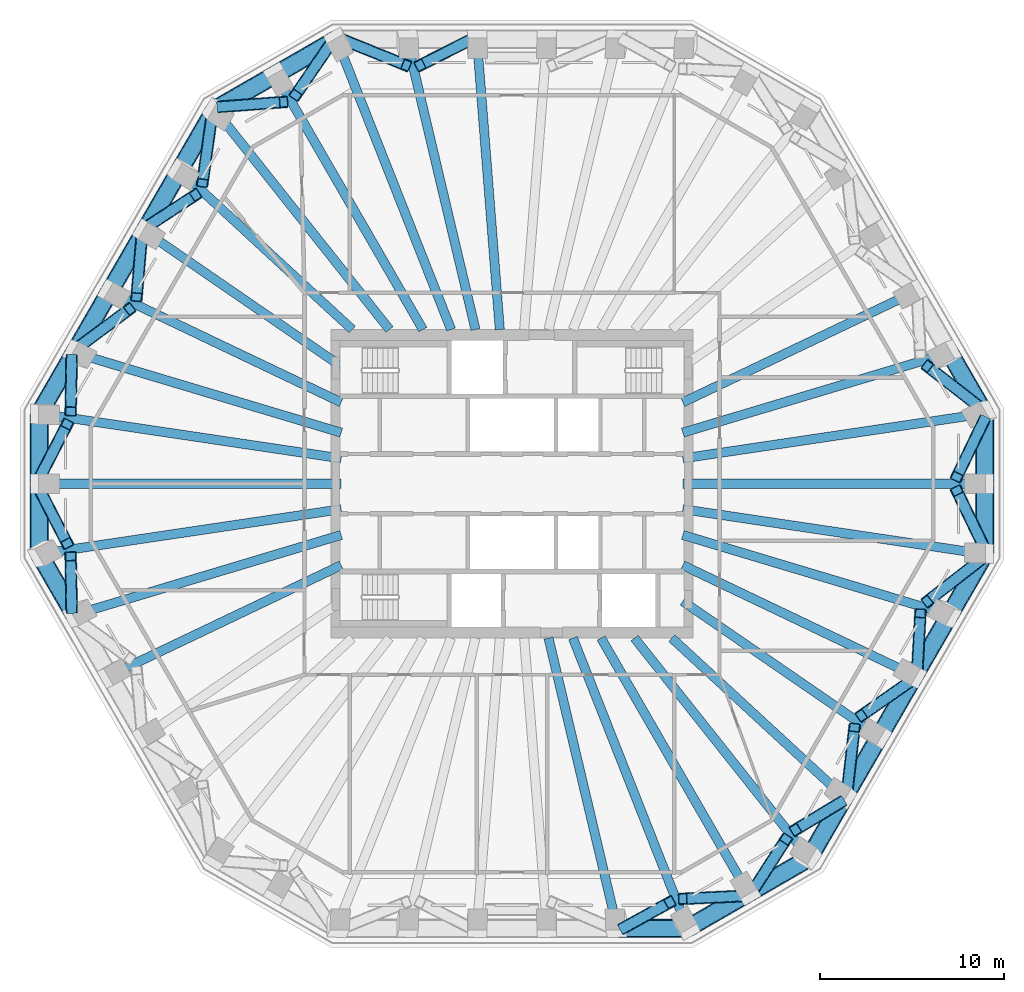
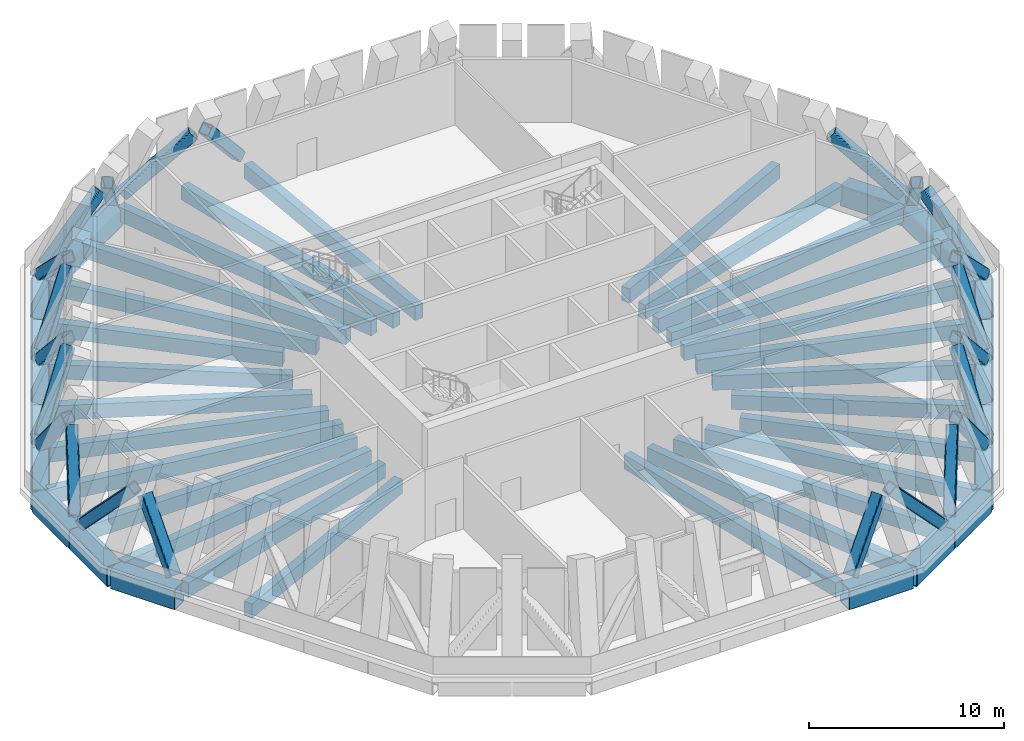
# One storey, part 2 of 8: 48 beams, 23 members.
"""IFC4 building model written with IfcOpenShell, lengths in metres."""

from ifc_helpers import new_model, si_unit, direction, frame, origin, origin_2d, place, context, subcontext, project, spatial, rectangle, hollow_rectangle, extrude, material, material_profile, profile_set, type_object, element, save


model = new_model("IFC4")

# Units and contexts
model_context = context("Model", 3, precision=1e-05, world=origin(), true_north=direction((0.0, 1.0)))
body_context = subcontext(model_context, "Body", "Model", "MODEL_VIEW")
ifc_project = project(units=[si_unit("LENGTHUNIT", "METRE"), si_unit("AREAUNIT", "SQUARE_METRE"), si_unit("VOLUMEUNIT", "CUBIC_METRE"), si_unit("PLANEANGLEUNIT", "RADIAN"), si_unit("MASSUNIT", "GRAM", prefix="KILO")], contexts=[model_context])

# Site, building, storey
site_placement = place(None, origin())
site = spatial("IfcSite", under=ifc_project, at=site_placement, CompositionType="ELEMENT")
building_placement = place(site_placement, origin())
building = spatial("IfcBuilding", under=site, at=building_placement, Name="Frailejon Research Tower", CompositionType="ELEMENT")
storey_placement = place(building_placement, frame((0.0, 0.0, 257.39990234375)))
storey = spatial("IfcBuildingStorey", under=building, at=storey_placement, Name="L56", CompositionType="ELEMENT", Elevation=257.39990234375)

# Beams
ifc_material_1 = material(Name="Steel S355", Category="steel")
ifc_material_profile_1 = material_profile(ifc_material_1, hollow_rectangle(XDim=1.0, YDim=1.300048828125, WallThickness=0.06005859375, InnerFilletRadius=0.06005859375, OuterFilletRadius=0.1201171875, at=origin_2d()), Name="Belt chord")
ifc_profile_set_1 = profile_set([ifc_material_profile_1], Name="Steel S355")
beam_type_1 = type_object("IfcBeamType", Name="Belt chord", PredefinedType="BEAM", material=ifc_profile_set_1)
for number, where, z_axis, x_axis, name in (
    (1, (25.734375, -3.806640625, -1.0), (0.0, 1.0, 0.0), (-1.0, 0.0, 0.0), "Belt chord"),
    (2, (25.734375, 0.02001953125, -1.0), (0.0, 1.0, 0.0), (-1.0, 0.0, 0.0), "Belt chord"),
):
    element("IfcBeam", number, at=place(storey_placement, frame(where, z_axis=z_axis, x_axis=x_axis)), inside=storey, type_object=beam_type_1, Name=name, PredefinedType="BEAM", context=body_context, shape_type="SweptSolid", body=[
        extrude(hollow_rectangle(XDim=1.0, YDim=1.300048828125, WallThickness=0.06005859375, InnerFilletRadius=0.06005859375, OuterFilletRadius=0.1201171875, at=origin_2d()), origin(), (0.0, 0.0, 1.0), 3.78662109375),
    ])
beam_1_placement = place(storey_placement, frame((25.724365234375, 3.843994140625, -1.0), z_axis=(-0.500000040646, 0.866025380318, 0.0), x_axis=(-0.866025380318, -0.500000040646, 0.0)))
element("IfcBeam", 3, at=beam_1_placement, inside=storey, type_object=beam_type_1, Name="Belt chord", PredefinedType="BEAM", context=body_context, shape_type="SweptSolid", body=[
    extrude(hollow_rectangle(XDim=1.0, YDim=1.300048828125, WallThickness=0.06005859375, InnerFilletRadius=0.06005859375, OuterFilletRadius=0.1201171875, at=origin_2d()), origin(), (0.0, 0.0, 1.0), 3.78125),
])
for number, where, z_axis, x_axis, name in (
    (4, (-9.570556640625, 24.18994140625, -1.0), (-0.86602453317, -0.500001507946, 0.0), (0.500001507946, -0.86602453317, 0.0), "Belt chord"),
    (5, (-12.884521484375, 22.276611328125, -1.0), (-0.86602453317, -0.500001507946, 0.0), (0.500001507946, -0.86602453317, 0.0), "Belt chord"),
):
    element("IfcBeam", number, at=place(storey_placement, frame(where, z_axis=z_axis, x_axis=x_axis)), inside=storey, type_object=beam_type_1, Name=name, PredefinedType="BEAM", context=body_context, shape_type="SweptSolid", body=[
        extrude(hollow_rectangle(XDim=1.0, YDim=1.300048828125, WallThickness=0.06005859375, InnerFilletRadius=0.06005859375, OuterFilletRadius=0.1201171875, at=origin_2d()), origin(), (0.0, 0.0, 1.0), 3.78662109375),
    ])
for number, where, z_axis, x_axis, name in (
    (6, (-16.191162109375, 20.35595703125, -1.0), (-0.500000040646, -0.866025380318, 0.0), (0.866025380318, -0.500000040646, 0.0), "Belt chord"),
    (7, (-18.101806640625, 17.046630859375, -1.0), (-0.500000040646, -0.866025380318, 0.0), (0.866025380318, -0.500000040646, 0.0), "Belt chord"),
    (8, (-20.012451171875, 13.7373046875, -1.0), (-0.500000040646, -0.866025380318, 0.0), (0.866025380318, -0.500000040646, 0.0), "Belt chord"),
    (9, (-21.923095703125, 10.427978515625, -1.0), (-0.500000040646, -0.866025380318, 0.0), (0.866025380318, -0.500000040646, 0.0), "Belt chord"),
    (10, (-23.833740234375, 7.11865234375, -1.0), (-0.500000040646, -0.866025380318, 0.0), (0.866025380318, -0.500000040646, 0.0), "Belt chord"),
):
    element("IfcBeam", number, at=place(storey_placement, frame(where, z_axis=z_axis, x_axis=x_axis)), inside=storey, type_object=beam_type_1, Name=name, PredefinedType="BEAM", context=body_context, shape_type="SweptSolid", body=[
        extrude(hollow_rectangle(XDim=1.0, YDim=1.300048828125, WallThickness=0.06005859375, InnerFilletRadius=0.06005859375, OuterFilletRadius=0.1201171875, at=origin_2d()), origin(), (0.0, 0.0, 1.0), 3.78125),
    ])
for number, where, z_axis, x_axis, name in (
    (11, (-25.734375, 3.806640625, -1.0), (0.0, -1.0, 0.0), (1.0, 0.0, 0.0), "Belt chord"),
    (12, (-25.734375, -0.02001953125, -1.0), (0.0, -1.0, 0.0), (1.0, 0.0, 0.0), "Belt chord"),
):
    element("IfcBeam", number, at=place(storey_placement, frame(where, z_axis=z_axis, x_axis=x_axis)), inside=storey, type_object=beam_type_1, Name=name, PredefinedType="BEAM", context=body_context, shape_type="SweptSolid", body=[
        extrude(hollow_rectangle(XDim=1.0, YDim=1.300048828125, WallThickness=0.06005859375, InnerFilletRadius=0.06005859375, OuterFilletRadius=0.1201171875, at=origin_2d()), origin(), (0.0, 0.0, 1.0), 3.78662109375),
    ])
for number, where, z_axis, x_axis, name in (
    (13, (-25.724365234375, -3.843994140625, -1.0), (0.500000040646, -0.866025380318, 0.0), (0.866025380318, 0.500000040646, 0.0), "Belt chord"),
    (14, (5.751953125, -24.199951171875, -1.0), (1.0, 0.0, 0.0), (0.0, 1.0, 0.0), "Belt chord"),
):
    element("IfcBeam", number, at=place(storey_placement, frame(where, z_axis=z_axis, x_axis=x_axis)), inside=storey, type_object=beam_type_1, Name=name, PredefinedType="BEAM", context=body_context, shape_type="SweptSolid", body=[
        extrude(hollow_rectangle(XDim=1.0, YDim=1.300048828125, WallThickness=0.06005859375, InnerFilletRadius=0.06005859375, OuterFilletRadius=0.1201171875, at=origin_2d()), origin(), (0.0, 0.0, 1.0), 3.78125),
    ])
for number, where, z_axis, x_axis, name in (
    (15, (9.570556640625, -24.18994140625, -1.0), (0.86602453317, 0.500001507946, 0.0), (-0.500001507946, 0.86602453317, 0.0), "Belt chord"),
    (16, (12.884521484375, -22.276611328125, -1.0), (0.86602453317, 0.500001507946, 0.0), (-0.500001507946, 0.86602453317, 0.0), "Belt chord"),
):
    element("IfcBeam", number, at=place(storey_placement, frame(where, z_axis=z_axis, x_axis=x_axis)), inside=storey, type_object=beam_type_1, Name=name, PredefinedType="BEAM", context=body_context, shape_type="SweptSolid", body=[
        extrude(hollow_rectangle(XDim=1.0, YDim=1.300048828125, WallThickness=0.06005859375, InnerFilletRadius=0.06005859375, OuterFilletRadius=0.1201171875, at=origin_2d()), origin(), (0.0, 0.0, 1.0), 3.78662109375),
    ])
for number, where, z_axis, x_axis, name in (
    (17, (16.191162109375, -20.35595703125, -1.0), (0.500000040646, 0.866025380318, 0.0), (-0.866025380318, 0.500000040646, 0.0), "Belt chord"),
    (18, (18.101806640625, -17.046630859375, -1.0), (0.500000040646, 0.866025380318, 0.0), (-0.866025380318, 0.500000040646, 0.0), "Belt chord"),
    (19, (20.012451171875, -13.7373046875, -1.0), (0.500000040646, 0.866025380318, 0.0), (-0.866025380318, 0.500000040646, 0.0), "Belt chord"),
    (20, (21.923095703125, -10.427978515625, -1.0), (0.500000040646, 0.866025380318, 0.0), (-0.866025380318, 0.500000040646, 0.0), "Belt chord"),
    (21, (23.833740234375, -7.11865234375, -1.0), (0.500000040646, 0.866025380318, 0.0), (-0.866025380318, 0.500000040646, 0.0), "Belt chord"),
):
    element("IfcBeam", number, at=place(storey_placement, frame(where, z_axis=z_axis, x_axis=x_axis)), inside=storey, type_object=beam_type_1, Name=name, PredefinedType="BEAM", context=body_context, shape_type="SweptSolid", body=[
        extrude(hollow_rectangle(XDim=1.0, YDim=1.300048828125, WallThickness=0.06005859375, InnerFilletRadius=0.06005859375, OuterFilletRadius=0.1201171875, at=origin_2d()), origin(), (0.0, 0.0, 1.0), 3.78125),
    ])

# Members
ifc_material_2 = material(Name="Steel S355", Category="steel")
ifc_material_profile_2 = material_profile(ifc_material_2, hollow_rectangle(XDim=0.64990234375, YDim=0.64990234375, WallThickness=0.044921875, InnerFilletRadius=0.044921875, OuterFilletRadius=0.090087890625, at=origin_2d()), Name="Belt diagonal 5600")
ifc_profile_set_2 = profile_set([ifc_material_profile_2], Name="Steel S355")
member_type = type_object("IfcMemberType", Name="Belt diagonal 5600", PredefinedType="BRACE", material=ifc_profile_set_2)
for number, where, z_axis, x_axis, name in (
    (22, (25.692138671875, -3.446044921875, 0.098388671875), (-0.305461236623, 0.634897041554, 0.709647221897), (-0.901129190385, -0.433550668591, 0.0), "Belt truss diagonal"),
    (23, (24.214599609375, 0.375, 3.531005859375), (0.305461236623, 0.634897041554, -0.709647221897), (-0.901129190385, 0.433550668591, 0.0), "Belt truss diagonal"),
):
    element("IfcMember", number, at=place(storey_placement, frame(where, z_axis=z_axis, x_axis=x_axis)), inside=storey, type_object=member_type, Name=name, PredefinedType="BRACE", context=body_context, shape_type="SweptSolid", body=[
        extrude(hollow_rectangle(XDim=0.64990234375, YDim=0.64990234375, WallThickness=0.044921875, InnerFilletRadius=0.044921875, OuterFilletRadius=0.090087890625, at=origin_2d()), origin(), (0.0, 0.0, 1.0), 4.837158203125),
    ])
member_1_placement = place(storey_placement, frame((25.502685546875, 4.1455078125, 0.10302734375), z_axis=(-0.576271046214, 0.449760669787, 0.682368684224), x_axis=(-0.615260778003, -0.788323648669, 0.0)))
element("IfcMember", 24, at=member_1_placement, inside=storey, type_object=member_type, Name="Belt truss diagonal", PredefinedType="BRACE", context=body_context, shape_type="SweptSolid", body=[
    extrude(hollow_rectangle(XDim=0.64990234375, YDim=0.64990234375, WallThickness=0.044921875, InnerFilletRadius=0.044921875, OuterFilletRadius=0.090087890625, at=origin_2d()), origin(), (0.0, 0.0, 1.0), 5.023193359375),
])
member_2_placement = place(storey_placement, frame((-2.2822265625, 24.15869140625, 0.10302734375), z_axis=(-0.593645537895, -0.300013839748, 0.746710567286), x_axis=(0.451047499832, -0.8924999456, 0.0)))
element("IfcMember", 25, at=member_2_placement, inside=storey, type_object=member_type, Name="Belt truss diagonal", PredefinedType="BRACE", context=body_context, shape_type="SweptSolid", body=[
    extrude(hollow_rectangle(XDim=0.64990234375, YDim=0.64990234375, WallThickness=0.044921875, InnerFilletRadius=0.044921875, OuterFilletRadius=0.090087890625, at=origin_2d()), origin(), (0.0, 0.0, 1.0), 4.59033203125),
])
member_3_placement = place(storey_placement, frame((-5.75732421875, 22.781494140625, 3.53076171875), z_axis=(-0.677625496127, 0.274170522425, -0.68238860749), x_axis=(-0.375067612734, -0.92699745732, 0.0)))
element("IfcMember", 26, at=member_3_placement, inside=storey, type_object=member_type, Name="Belt truss diagonal", PredefinedType="BRACE", context=body_context, shape_type="SweptSolid", body=[
    extrude(hollow_rectangle(XDim=0.64990234375, YDim=0.64990234375, WallThickness=0.044921875, InnerFilletRadius=0.044921875, OuterFilletRadius=0.090087890625, at=origin_2d()), origin(), (0.0, 0.0, 1.0), 5.023193359375),
])
member_4_placement = place(storey_placement, frame((-9.86181640625, 23.972900390625, 0.098388671875), z_axis=(-0.397083160437, -0.581971379159, 0.709671950648), x_axis=(0.826039348638, -0.563612450627, 0.0)))
element("IfcMember", 27, at=member_4_placement, inside=storey, type_object=member_type, Name="Belt truss diagonal", PredefinedType="BRACE", context=body_context, shape_type="SweptSolid", body=[
    extrude(hollow_rectangle(XDim=0.64990234375, YDim=0.64990234375, WallThickness=0.044921875, InnerFilletRadius=0.044921875, OuterFilletRadius=0.090087890625, at=origin_2d()), origin(), (0.0, 0.0, 1.0), 4.8369140625),
])
member_5_placement = place(storey_placement, frame((-12.431884765625, 20.782958984375, 3.531005859375), z_axis=(-0.702574984705, -0.052895013216, -0.709641112425), x_axis=(0.07507488776, -0.997177898485, 0.0)))
element("IfcMember", 28, at=member_5_placement, inside=storey, type_object=member_type, Name="Belt truss diagonal", PredefinedType="BRACE", context=body_context, shape_type="SweptSolid", body=[
    extrude(hollow_rectangle(XDim=0.64990234375, YDim=0.64990234375, WallThickness=0.044921875, InnerFilletRadius=0.044921875, OuterFilletRadius=0.090087890625, at=origin_2d()), origin(), (0.0, 0.0, 1.0), 4.837158203125),
])
member_6_placement = place(storey_placement, frame((-16.34130859375, 20.01318359375, 0.10302734375), z_axis=(-0.101384769526, -0.723933912796, 0.682378793935), x_axis=(0.990335355075, -0.138693491151, 0.0)))
element("IfcMember", 29, at=member_6_placement, inside=storey, type_object=member_type, Name="Belt truss diagonal", PredefinedType="BRACE", context=body_context, shape_type="SweptSolid", body=[
    extrude(hollow_rectangle(XDim=0.64990234375, YDim=0.64990234375, WallThickness=0.044921875, InnerFilletRadius=0.044921875, OuterFilletRadius=0.090087890625, at=origin_2d()), origin(), (0.0, 0.0, 1.0), 5.023193359375),
])
member_7_placement = place(storey_placement, frame((-17.2255859375, 15.727294921875, 3.53076171875), z_axis=(-0.556670743719, -0.364093619137, -0.746695064662), x_axis=(0.547372148137, -0.836889318515, 0.0)))
element("IfcMember", 30, at=member_7_placement, inside=storey, type_object=member_type, Name="Belt truss diagonal", PredefinedType="BRACE", context=body_context, shape_type="SweptSolid", body=[
    extrude(hollow_rectangle(XDim=0.64990234375, YDim=0.64990234375, WallThickness=0.044921875, InnerFilletRadius=0.044921875, OuterFilletRadius=0.090087890625, at=origin_2d()), origin(), (0.0, 0.0, 1.0), 4.590576171875),
])
member_8_placement = place(storey_placement, frame((-20.156005859375, 13.40625, 0.10302734375), z_axis=(-0.059843403163, -0.68621124076, 0.724936480081), x_axis=(0.996218898813, -0.086878683501, 0.0)))
element("IfcMember", 31, at=member_8_placement, inside=storey, type_object=member_type, Name="Belt truss diagonal", PredefinedType="BRACE", context=body_context, shape_type="SweptSolid", body=[
    extrude(hollow_rectangle(XDim=0.64990234375, YDim=0.64990234375, WallThickness=0.044921875, InnerFilletRadius=0.044921875, OuterFilletRadius=0.090087890625, at=origin_2d()), origin(), (0.0, 0.0, 1.0), 4.728271484375),
])
member_9_placement = place(storey_placement, frame((-20.81396484375, 9.51220703125, 3.53076171875), z_axis=(-0.57083467662, -0.423428759073, -0.703459919226), x_axis=(0.595761852481, -0.803161138956, 0.0)))
element("IfcMember", 32, at=member_9_placement, inside=storey, type_object=member_type, Name="Belt truss diagonal", PredefinedType="BRACE", context=body_context, shape_type="SweptSolid", body=[
    extrude(hollow_rectangle(XDim=0.64990234375, YDim=0.64990234375, WallThickness=0.044921875, InnerFilletRadius=0.044921875, OuterFilletRadius=0.090087890625, at=origin_2d()), origin(), (0.0, 0.0, 1.0), 4.87255859375),
])
member_10_placement = place(storey_placement, frame((-23.970458984375, 6.79931640625, 0.10302734375), z_axis=(-0.012700346094, -0.63961570587, 0.768589910169), x_axis=(0.999802923664, -0.019852300436, 0.0)))
element("IfcMember", 33, at=member_10_placement, inside=storey, type_object=member_type, Name="Belt truss diagonal", PredefinedType="BRACE", context=body_context, shape_type="SweptSolid", body=[
    extrude(hollow_rectangle(XDim=0.64990234375, YDim=0.64990234375, WallThickness=0.044921875, InnerFilletRadius=0.044921875, OuterFilletRadius=0.090087890625, at=origin_2d()), origin(), (0.0, 0.0, 1.0), 4.459716796875),
])
for number, where, z_axis, x_axis, name in (
    (34, (-24.214599609375, 3.2470703125, 3.531005859375), (-0.313485933093, -0.609360296911, -0.72829018825), (0.889228065335, -0.457464149219, 0.0), "Belt truss diagonal"),
    (35, (-25.692138671875, -0.375, 0.098388671875), (0.313485933093, -0.609360296911, 0.72829018825), (0.889228065335, 0.457464149219, 0.0), "Belt truss diagonal"),
):
    element("IfcMember", number, at=place(storey_placement, frame(where, z_axis=z_axis, x_axis=x_axis)), inside=storey, type_object=member_type, Name=name, PredefinedType="BRACE", context=body_context, shape_type="SweptSolid", body=[
        extrude(hollow_rectangle(XDim=0.64990234375, YDim=0.64990234375, WallThickness=0.044921875, InnerFilletRadius=0.044921875, OuterFilletRadius=0.090087890625, at=origin_2d()), origin(), (0.0, 0.0, 1.0), 4.713134765625),
    ])
member_11_placement = place(storey_placement, frame((-24.027099609375, -3.94677734375, 3.53076171875), z_axis=(0.012700346094, -0.63961570587, -0.768589910169), x_axis=(0.999802923664, 0.019852300436, 0.0)))
element("IfcMember", 36, at=member_11_placement, inside=storey, type_object=member_type, Name="Belt truss diagonal", PredefinedType="BRACE", context=body_context, shape_type="SweptSolid", body=[
    extrude(hollow_rectangle(XDim=0.64990234375, YDim=0.64990234375, WallThickness=0.044921875, InnerFilletRadius=0.044921875, OuterFilletRadius=0.090087890625, at=origin_2d()), origin(), (0.0, 0.0, 1.0), 4.459716796875),
])
member_12_placement = place(storey_placement, frame((6.0966796875, -24.15869140625, 0.10302734375), z_axis=(0.560325446619, 0.308792091088, 0.76855893616), x_axis=(-0.482654313132, 0.875810946503, 0.0)))
element("IfcMember", 37, at=member_12_placement, inside=storey, type_object=member_type, Name="Belt truss diagonal", PredefinedType="BRACE", context=body_context, shape_type="SweptSolid", body=[
    extrude(hollow_rectangle(XDim=0.64990234375, YDim=0.64990234375, WallThickness=0.044921875, InnerFilletRadius=0.044921875, OuterFilletRadius=0.090087890625, at=origin_2d()), origin(), (0.0, 0.0, 1.0), 4.4599609375),
])
for number, where, z_axis, x_axis, name in (
    (38, (9.29541015625, -22.593994140625, 3.531005859375), (0.684438836439, 0.033204063737, -0.728313784934), (-0.048455841507, 0.998825325782, 0.0), "Belt truss diagonal"),
    (39, (13.1708984375, -22.0625, 0.098388671875), (0.370939362242, 0.576170720042, 0.728307140501), (-0.840817244208, 0.541319094289, 0.0), "Belt truss diagonal"),
):
    element("IfcMember", number, at=place(storey_placement, frame(where, z_axis=z_axis, x_axis=x_axis)), inside=storey, type_object=member_type, Name=name, PredefinedType="BRACE", context=body_context, shape_type="SweptSolid", body=[
        extrude(hollow_rectangle(XDim=0.64990234375, YDim=0.64990234375, WallThickness=0.044921875, InnerFilletRadius=0.044921875, OuterFilletRadius=0.090087890625, at=origin_2d()), origin(), (0.0, 0.0, 1.0), 4.713134765625),
    ])
member_13_placement = place(storey_placement, frame((15.431396484375, -18.834716796875, 3.53076171875), z_axis=(0.547624555557, 0.330797200043, -0.768557453021), x_axis=(-0.517047733263, 0.855956565211, 0.0)))
element("IfcMember", 40, at=member_13_placement, inside=storey, type_object=member_type, Name="Belt truss diagonal", PredefinedType="BRACE", context=body_context, shape_type="SweptSolid", body=[
    extrude(hollow_rectangle(XDim=0.64990234375, YDim=0.64990234375, WallThickness=0.044921875, InnerFilletRadius=0.044921875, OuterFilletRadius=0.090087890625, at=origin_2d()), origin(), (0.0, 0.0, 1.0), 4.4599609375),
])
member_14_placement = place(storey_placement, frame((18.248779296875, -16.709716796875, 0.10302734375), z_axis=(0.081269119432, 0.706069316295, 0.703463894463), x_axis=(-0.993441006388, 0.114345821201, 0.0)))
element("IfcMember", 41, at=member_14_placement, inside=storey, type_object=member_type, Name="Belt truss diagonal", PredefinedType="BRACE", context=body_context, shape_type="SweptSolid", body=[
    extrude(hollow_rectangle(XDim=0.64990234375, YDim=0.64990234375, WallThickness=0.044921875, InnerFilletRadius=0.044921875, OuterFilletRadius=0.090087890625, at=origin_2d()), origin(), (0.0, 0.0, 1.0), 4.87255859375),
])
member_15_placement = place(storey_placement, frame((19.019775390625, -12.61962890625, 3.53076171875), z_axis=(0.564317080241, 0.394954830887, -0.724953042967), x_axis=(-0.573396938011, 0.819277701075, 0.0)))
element("IfcMember", 42, at=member_15_placement, inside=storey, type_object=member_type, Name="Belt truss diagonal", PredefinedType="BRACE", context=body_context, shape_type="SweptSolid", body=[
    extrude(hollow_rectangle(XDim=0.64990234375, YDim=0.64990234375, WallThickness=0.044921875, InnerFilletRadius=0.044921875, OuterFilletRadius=0.090087890625, at=origin_2d()), origin(), (0.0, 0.0, 1.0), 4.728271484375),
])
member_16_placement = place(storey_placement, frame((22.06298828125, -10.102783203125, 0.10302734375), z_axis=(0.037016501907, 0.664116464528, 0.746712193639), x_axis=(-0.998450249539, 0.055651587545, 0.0)))
element("IfcMember", 43, at=member_16_placement, inside=storey, type_object=member_type, Name="Belt truss diagonal", PredefinedType="BRACE", context=body_context, shape_type="SweptSolid", body=[
    extrude(hollow_rectangle(XDim=0.64990234375, YDim=0.64990234375, WallThickness=0.044921875, InnerFilletRadius=0.044921875, OuterFilletRadius=0.090087890625, at=origin_2d()), origin(), (0.0, 0.0, 1.0), 4.59033203125),
])
member_17_placement = place(storey_placement, frame((22.60791015625, -6.40478515625, 3.53076171875), z_axis=(0.576271046214, 0.449760669787, -0.682368684224), x_axis=(-0.615260778003, 0.788323648669, 0.0)))
element("IfcMember", 44, at=member_17_placement, inside=storey, type_object=member_type, Name="Belt truss diagonal", PredefinedType="BRACE", context=body_context, shape_type="SweptSolid", body=[
    extrude(hollow_rectangle(XDim=0.64990234375, YDim=0.64990234375, WallThickness=0.044921875, InnerFilletRadius=0.044921875, OuterFilletRadius=0.090087890625, at=origin_2d()), origin(), (0.0, 0.0, 1.0), 5.023193359375),
])

# Beams
ifc_material_3 = material(Name="Concrete C60/75", Category="concrete")
ifc_material_profile_3 = material_profile(ifc_material_3, rectangle(XDim=0.5, YDim=0.89990234375, at=origin_2d()), Name="Girder 500x900")
ifc_profile_set_3 = profile_set([ifc_material_profile_3], Name="Concrete C60/75")
beam_type_2 = type_object("IfcBeamType", Name="Girder 500x900", PredefinedType="BEAM", material=ifc_profile_set_3)
beam_2_placement = place(storey_placement, frame((25.35791015625, -3.770751953125, -0.75), z_axis=(-0.989122974151, 0.147090931084, 0.0), x_axis=(-0.147090931084, -0.989122974151, 0.0)))
element("IfcBeam", 45, at=beam_2_placement, inside=storey, type_object=beam_type_2, Name="Girder 500x900", PredefinedType="BEAM", context=body_context, shape_type="SweptSolid", body=[
    extrude(rectangle(XDim=0.5, YDim=0.89990234375, at=origin_2d()), origin(), (0.0, 0.0, 1.0), 16.234375),
])
beam_3_placement = place(storey_placement, frame((25.359375, 0.0, -0.75), z_axis=(-1.0, 0.0, 0.0), x_axis=(0.0, -1.0, 0.0)))
element("IfcBeam", 46, at=beam_3_placement, inside=storey, type_object=beam_type_2, Name="Girder 500x900", PredefinedType="BEAM", context=body_context, shape_type="SweptSolid", body=[
    extrude(rectangle(XDim=0.5, YDim=0.89990234375, at=origin_2d()), origin(), (0.0, 0.0, 1.0), 16.059326171875),
])
beam_4_placement = place(storey_placement, frame((25.324462890625, 3.765625, -0.75), z_axis=(-0.9891243487, -0.147081687539, 0.0), x_axis=(0.147081687539, -0.9891243487, 0.0)))
element("IfcBeam", 47, at=beam_4_placement, inside=storey, type_object=beam_type_2, Name="Girder 500x900", PredefinedType="BEAM", context=body_context, shape_type="SweptSolid", body=[
    extrude(rectangle(XDim=0.5, YDim=0.89990234375, at=origin_2d()), origin(), (0.0, 0.0, 1.0), 16.20068359375),
])
beam_5_placement = place(storey_placement, frame((23.45068359375, 7.024169921875, -0.75), z_axis=(-0.95795037946, -0.286933913111, 0.0), x_axis=(0.286933913111, -0.95795037946, 0.0)))
element("IfcBeam", 48, at=beam_5_placement, inside=storey, type_object=beam_type_2, Name="Girder 500x900", PredefinedType="BEAM", context=body_context, shape_type="SweptSolid", body=[
    extrude(rectangle(XDim=0.5, YDim=0.89990234375, at=origin_2d()), origin(), (0.0, 0.0, 1.0), 14.771728515625),
])
beam_6_placement = place(storey_placement, frame((21.572998046875, 10.283203125, -0.75), z_axis=(-0.902693826833, -0.430283458893, 0.0), x_axis=(0.430283458893, -0.902693826833, 0.0)))
element("IfcBeam", 49, at=beam_6_placement, inside=storey, type_object=beam_type_2, Name="Girder 500x900", PredefinedType="BEAM", context=body_context, shape_type="SweptSolid", body=[
    extrude(rectangle(XDim=0.5, YDim=0.89990234375, at=origin_2d()), origin(), (0.0, 0.0, 1.0), 13.595947265625),
])
beam_7_placement = place(storey_placement, frame((-1.881103515625, 23.824462890625, -0.75), z_axis=(0.078721055235, -0.996896682441, 0.0), x_axis=(0.996896682441, 0.078721055235, 0.0)))
element("IfcBeam", 50, at=beam_7_placement, inside=storey, type_object=beam_type_2, Name="Girder 500x900", PredefinedType="BEAM", context=body_context, shape_type="SweptSolid", body=[
    extrude(rectangle(XDim=0.5, YDim=0.89990234375, at=origin_2d()), origin(), (0.0, 0.0, 1.0), 15.47265625),
])
beam_8_placement = place(storey_placement, frame((-5.64208984375, 23.821044921875, -0.75), z_axis=(0.230479051582, -0.973077287158, 0.0), x_axis=(0.973077287158, 0.230479051582, 0.0)))
element("IfcBeam", 51, at=beam_8_placement, inside=storey, type_object=beam_type_2, Name="Girder 500x900", PredefinedType="BEAM", context=body_context, shape_type="SweptSolid", body=[
    extrude(rectangle(XDim=0.5, YDim=0.89990234375, at=origin_2d()), origin(), (0.0, 0.0, 1.0), 15.847900390625),
])
beam_9_placement = place(storey_placement, frame((-9.413330078125, 23.845703125, -0.75), z_axis=(0.367186619097, -0.930147293044, 0.0), x_axis=(0.930147293044, 0.367186619097, 0.0)))
element("IfcBeam", 52, at=beam_9_placement, inside=storey, type_object=beam_type_2, Name="Girder 500x900", PredefinedType="BEAM", context=body_context, shape_type="SweptSolid", body=[
    extrude(rectangle(XDim=0.5, YDim=0.89990234375, at=origin_2d()), origin(), (0.0, 0.0, 1.0), 16.605712890625),
])
beam_10_placement = place(storey_placement, frame((-12.6796875, 21.9619140625, -0.75), z_axis=(0.499990558751, -0.866030854623, 0.0), x_axis=(0.866030854623, 0.499990558751, 0.0)))
element("IfcBeam", 53, at=beam_10_placement, inside=storey, type_object=beam_type_2, Name="Girder 500x900", PredefinedType="BEAM", context=body_context, shape_type="SweptSolid", body=[
    extrude(rectangle(XDim=0.5, YDim=0.89990234375, at=origin_2d()), origin(), (0.0, 0.0, 1.0), 15.659912109375),
])
beam_11_placement = place(storey_placement, frame((-15.923583984375, 20.048828125, -0.75), z_axis=(0.621937201743, -0.7830671217, 0.0), x_axis=(0.7830671217, 0.621937201743, 0.0)))
element("IfcBeam", 54, at=beam_11_placement, inside=storey, type_object=beam_type_2, Name="Girder 500x900", PredefinedType="BEAM", context=body_context, shape_type="SweptSolid", body=[
    extrude(rectangle(XDim=0.5, YDim=0.89990234375, at=origin_2d()), origin(), (0.0, 0.0, 1.0), 14.8759765625),
])
beam_12_placement = place(storey_placement, frame((-17.806640625, 16.80078125, -0.75), z_axis=(0.735016449092, -0.678049275174, 0.0), x_axis=(0.678049275174, 0.735016449092, 0.0)))
element("IfcBeam", 55, at=beam_12_placement, inside=storey, type_object=beam_type_2, Name="Girder 500x900", PredefinedType="BEAM", context=body_context, shape_type="SweptSolid", body=[
    extrude(rectangle(XDim=0.5, YDim=0.89990234375, at=origin_2d()), origin(), (0.0, 0.0, 1.0), 12.389892578125),
])
beam_13_placement = place(storey_placement, frame((-19.692138671875, 13.541259765625, -0.75), z_axis=(0.823979789761, -0.566619189637, 0.0), x_axis=(0.566619189637, 0.823979789761, 0.0)))
element("IfcBeam", 56, at=beam_13_placement, inside=storey, type_object=beam_type_2, Name="Girder 500x900", PredefinedType="BEAM", context=body_context, shape_type="SweptSolid", body=[
    extrude(rectangle(XDim=0.5, YDim=0.89990234375, at=origin_2d()), origin(), (0.0, 0.0, 1.0), 12.612060546875),
])
beam_14_placement = place(storey_placement, frame((-21.572998046875, 10.283203125, -0.75), z_axis=(0.902693826833, -0.430283458893, 0.0), x_axis=(0.430283458893, 0.902693826833, 0.0)))
element("IfcBeam", 57, at=beam_14_placement, inside=storey, type_object=beam_type_2, Name="Girder 500x900", PredefinedType="BEAM", context=body_context, shape_type="SweptSolid", body=[
    extrude(rectangle(XDim=0.5, YDim=0.89990234375, at=origin_2d()), origin(), (0.0, 0.0, 1.0), 13.595947265625),
])
beam_15_placement = place(storey_placement, frame((-23.45068359375, 7.024169921875, -0.75), z_axis=(0.95795037946, -0.286933913111, 0.0), x_axis=(0.286933913111, 0.95795037946, 0.0)))
element("IfcBeam", 58, at=beam_15_placement, inside=storey, type_object=beam_type_2, Name="Girder 500x900", PredefinedType="BEAM", context=body_context, shape_type="SweptSolid", body=[
    extrude(rectangle(XDim=0.5, YDim=0.89990234375, at=origin_2d()), origin(), (0.0, 0.0, 1.0), 14.771728515625),
])
beam_16_placement = place(storey_placement, frame((-25.35791015625, 3.770751953125, -0.75), z_axis=(0.989122974151, -0.147090931084, 0.0), x_axis=(0.147090931084, 0.989122974151, 0.0)))
element("IfcBeam", 59, at=beam_16_placement, inside=storey, type_object=beam_type_2, Name="Girder 500x900", PredefinedType="BEAM", context=body_context, shape_type="SweptSolid", body=[
    extrude(rectangle(XDim=0.5, YDim=0.89990234375, at=origin_2d()), origin(), (0.0, 0.0, 1.0), 16.234375),
])
beam_17_placement = place(storey_placement, frame((-25.359375, 0.0, -0.75), z_axis=(1.0, 0.0, 0.0), x_axis=(0.0, 1.0, 0.0)))
element("IfcBeam", 60, at=beam_17_placement, inside=storey, type_object=beam_type_2, Name="Girder 500x900", PredefinedType="BEAM", context=body_context, shape_type="SweptSolid", body=[
    extrude(rectangle(XDim=0.5, YDim=0.89990234375, at=origin_2d()), origin(), (0.0, 0.0, 1.0), 16.059326171875),
])
beam_18_placement = place(storey_placement, frame((-25.324462890625, -3.765625, -0.75), z_axis=(0.9891243487, 0.147081687539, 0.0), x_axis=(-0.147081687539, 0.9891243487, 0.0)))
element("IfcBeam", 61, at=beam_18_placement, inside=storey, type_object=beam_type_2, Name="Girder 500x900", PredefinedType="BEAM", context=body_context, shape_type="SweptSolid", body=[
    extrude(rectangle(XDim=0.5, YDim=0.89990234375, at=origin_2d()), origin(), (0.0, 0.0, 1.0), 16.20068359375),
])
beam_19_placement = place(storey_placement, frame((-23.45068359375, -7.024169921875, -0.75), z_axis=(0.95795037946, 0.286933913111, 0.0), x_axis=(-0.286933913111, 0.95795037946, 0.0)))
element("IfcBeam", 62, at=beam_19_placement, inside=storey, type_object=beam_type_2, Name="Girder 500x900", PredefinedType="BEAM", context=body_context, shape_type="SweptSolid", body=[
    extrude(rectangle(XDim=0.5, YDim=0.89990234375, at=origin_2d()), origin(), (0.0, 0.0, 1.0), 14.771728515625),
])
beam_20_placement = place(storey_placement, frame((-21.572998046875, -10.283203125, -0.75), z_axis=(0.902693826833, 0.430283458893, 0.0), x_axis=(-0.430283458893, 0.902693826833, 0.0)))
element("IfcBeam", 63, at=beam_20_placement, inside=storey, type_object=beam_type_2, Name="Girder 500x900", PredefinedType="BEAM", context=body_context, shape_type="SweptSolid", body=[
    extrude(rectangle(XDim=0.5, YDim=0.89990234375, at=origin_2d()), origin(), (0.0, 0.0, 1.0), 13.595947265625),
])
beam_21_placement = place(storey_placement, frame((5.64208984375, -23.821044921875, -0.75), z_axis=(-0.230479051582, 0.973077287158, 0.0), x_axis=(-0.973077287158, -0.230479051582, 0.0)))
element("IfcBeam", 64, at=beam_21_placement, inside=storey, type_object=beam_type_2, Name="Girder 500x900", PredefinedType="BEAM", context=body_context, shape_type="SweptSolid", body=[
    extrude(rectangle(XDim=0.5, YDim=0.89990234375, at=origin_2d()), origin(), (0.0, 0.0, 1.0), 15.847900390625),
])
beam_22_placement = place(storey_placement, frame((9.413330078125, -23.845703125, -0.75), z_axis=(-0.367186619097, 0.930147293044, 0.0), x_axis=(-0.930147293044, -0.367186619097, 0.0)))
element("IfcBeam", 65, at=beam_22_placement, inside=storey, type_object=beam_type_2, Name="Girder 500x900", PredefinedType="BEAM", context=body_context, shape_type="SweptSolid", body=[
    extrude(rectangle(XDim=0.5, YDim=0.89990234375, at=origin_2d()), origin(), (0.0, 0.0, 1.0), 16.605712890625),
])
beam_23_placement = place(storey_placement, frame((12.6796875, -21.9619140625, -0.75), z_axis=(-0.499990558751, 0.866030854623, 0.0), x_axis=(-0.866030854623, -0.499990558751, 0.0)))
element("IfcBeam", 66, at=beam_23_placement, inside=storey, type_object=beam_type_2, Name="Girder 500x900", PredefinedType="BEAM", context=body_context, shape_type="SweptSolid", body=[
    extrude(rectangle(XDim=0.5, YDim=0.89990234375, at=origin_2d()), origin(), (0.0, 0.0, 1.0), 15.659912109375),
])
beam_24_placement = place(storey_placement, frame((15.923583984375, -20.048828125, -0.75), z_axis=(-0.621937201743, 0.7830671217, 0.0), x_axis=(-0.7830671217, -0.621937201743, 0.0)))
element("IfcBeam", 67, at=beam_24_placement, inside=storey, type_object=beam_type_2, Name="Girder 500x900", PredefinedType="BEAM", context=body_context, shape_type="SweptSolid", body=[
    extrude(rectangle(XDim=0.5, YDim=0.89990234375, at=origin_2d()), origin(), (0.0, 0.0, 1.0), 14.8759765625),
])
beam_25_placement = place(storey_placement, frame((17.806640625, -16.80078125, -0.75), z_axis=(-0.735016449092, 0.678049275174, 0.0), x_axis=(-0.678049275174, -0.735016449092, 0.0)))
element("IfcBeam", 68, at=beam_25_placement, inside=storey, type_object=beam_type_2, Name="Girder 500x900", PredefinedType="BEAM", context=body_context, shape_type="SweptSolid", body=[
    extrude(rectangle(XDim=0.5, YDim=0.89990234375, at=origin_2d()), origin(), (0.0, 0.0, 1.0), 12.389892578125),
])
beam_26_placement = place(storey_placement, frame((19.692138671875, -13.541259765625, -0.75), z_axis=(-0.823979789761, 0.566619189637, 0.0), x_axis=(-0.566619189637, -0.823979789761, 0.0)))
element("IfcBeam", 69, at=beam_26_placement, inside=storey, type_object=beam_type_2, Name="Girder 500x900", PredefinedType="BEAM", context=body_context, shape_type="SweptSolid", body=[
    extrude(rectangle(XDim=0.5, YDim=0.89990234375, at=origin_2d()), origin(), (0.0, 0.0, 1.0), 12.612060546875),
])
beam_27_placement = place(storey_placement, frame((21.572998046875, -10.283203125, -0.75), z_axis=(-0.902693826833, 0.430283458893, 0.0), x_axis=(-0.430283458893, -0.902693826833, 0.0)))
element("IfcBeam", 70, at=beam_27_placement, inside=storey, type_object=beam_type_2, Name="Girder 500x900", PredefinedType="BEAM", context=body_context, shape_type="SweptSolid", body=[
    extrude(rectangle(XDim=0.5, YDim=0.89990234375, at=origin_2d()), origin(), (0.0, 0.0, 1.0), 13.595947265625),
])
beam_28_placement = place(storey_placement, frame((23.45068359375, -7.024169921875, -0.75), z_axis=(-0.95795037946, 0.286933913111, 0.0), x_axis=(-0.286933913111, -0.95795037946, 0.0)))
element("IfcBeam", 71, at=beam_28_placement, inside=storey, type_object=beam_type_2, Name="Girder 500x900", PredefinedType="BEAM", context=body_context, shape_type="SweptSolid", body=[
    extrude(rectangle(XDim=0.5, YDim=0.89990234375, at=origin_2d()), origin(), (0.0, 0.0, 1.0), 14.771728515625),
])

save(model, "model.ifc")
